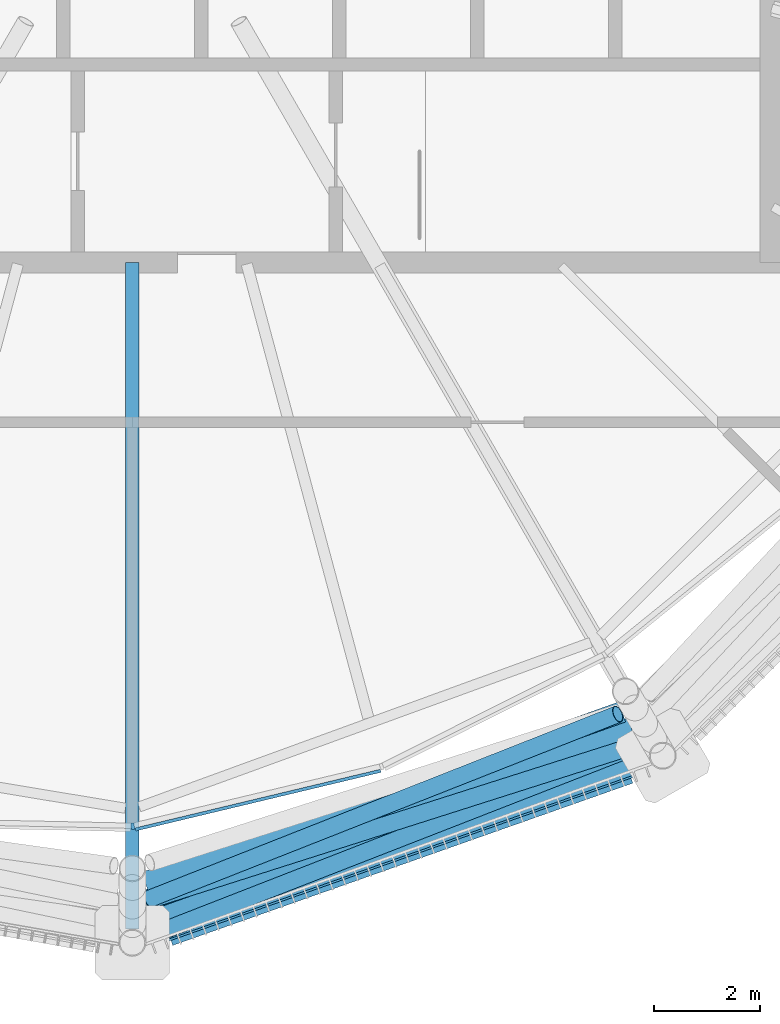
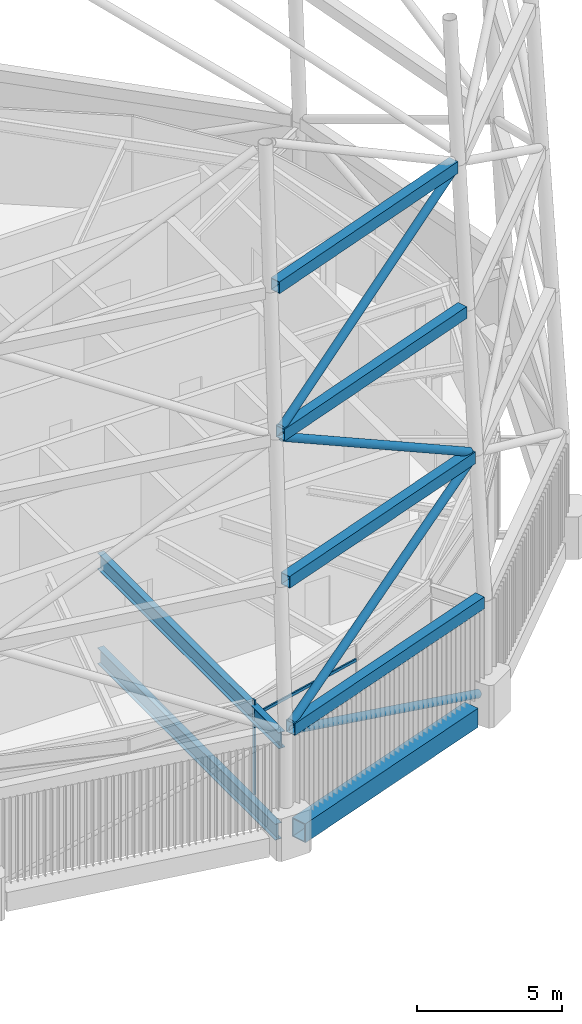
# One storey, part 42 of 71: 7 beams, 6 members, 1 element without a shape of its own.
"""IFC4 building model written with IfcOpenShell, lengths in metres."""

from ifc_helpers import new_model, si_unit, direction, frame, origin, origin_2d, place, context, subcontext, project, spatial, rectangle, hollow_rectangle, hollow_circle, i_section, extrude, material, material_profile, profile_set, type_object, element, aggregate, save


model = new_model("IFC4")

# Units and contexts
model_context = context("Model", 3, precision=1e-05, world=origin(), true_north=direction((0.0, 1.0)))
body_context = subcontext(model_context, "Body", "Model", "MODEL_VIEW")
ifc_project = project(units=[si_unit("LENGTHUNIT", "METRE"), si_unit("AREAUNIT", "SQUARE_METRE"), si_unit("VOLUMEUNIT", "CUBIC_METRE"), si_unit("PLANEANGLEUNIT", "RADIAN"), si_unit("MASSUNIT", "GRAM", prefix="KILO")], contexts=[model_context])

# Site, building, storey
site_placement = place(None, origin())
site = spatial("IfcSite", under=ifc_project, at=site_placement, CompositionType="ELEMENT")
building_placement = place(site_placement, origin())
building = spatial("IfcBuilding", under=site, at=building_placement, Name="Rimbun Link Towers", CompositionType="ELEMENT")
storey_placement = place(building_placement, frame((0.0, 0.0, 267.60009765625)))
storey = spatial("IfcBuildingStorey", under=building, at=storey_placement, Name="L65", CompositionType="ELEMENT", Elevation=267.60009765625)

# Curtain wall, members
ifc_material_1 = material(Name="Aluminium 6063-T6 louvre wall", Category="aluminium")
curtain_wall_type = type_object("IfcCurtainWallType", Name="CW6 plant floor louvre wall", PredefinedType="NOTDEFINED", material=ifc_material_1)
curtain_wall_placement = place(storey_placement, origin())
curtain_wall = element("IfcCurtainWall", 1, at=curtain_wall_placement, inside=storey, type_object=curtain_wall_type, Name="CW6 L65 T2", PredefinedType="NOTDEFINED")
ifc_material_2 = material(Name="Aluminium 6063-T6", Category="aluminium")
ifc_material_profile_1 = material_profile(ifc_material_2, rectangle(XDim=0.1201171875, YDim=0.06005859375, at=origin_2d()), Name="MULLION 60X120")
ifc_profile_set_1 = profile_set([ifc_material_profile_1], Name="Aluminium 6063-T6")
member_type_1 = type_object("IfcMemberType", Name="CW6 mullion 60X120", PredefinedType="MULLION", material=ifc_profile_set_1)
member_1_placement = place(storey_placement, frame((31.75634765625, -18.60009765625, 0.0), z_axis=(0.0, 0.0, 1.0), x_axis=(0.10664066069, -0.99429762621, 0.0)))
member_1 = element("IfcMember", 2, at=member_1_placement, type_object=member_type_1, Name="CW6 mullion", PredefinedType="MULLION", context=body_context, shape_type="SweptSolid", body=[
    extrude(rectangle(XDim=0.1201171875, YDim=0.06005859375, at=origin_2d()), origin(), (0.0, 0.0, 1.0), 4.0),
])
ifc_material_3 = material(Name="Aluminium 6063-T6", Category="aluminium")
ifc_material_profile_2 = material_profile(ifc_material_3, rectangle(XDim=0.06005859375, YDim=0.1201171875, at=origin_2d()), Name="TRANSOM 60X120")
ifc_profile_set_2 = profile_set([ifc_material_profile_2], Name="Aluminium 6063-T6")
member_type_2 = type_object("IfcMemberType", Name="CW6 transom 60X120", PredefinedType="USERDEFINED", material=ifc_profile_set_2)
member_2_placement = place(storey_placement, frame((36.419677734375, -17.557373046875, 3.39990234375), z_axis=(-0.972575852524, -0.232585921944, 0.0), x_axis=(0.232585921944, -0.972575852524, 0.0)))
member_2 = element("IfcMember", 3, at=member_2_placement, type_object=member_type_2, Name="CW6 transom", ObjectType="TRANSOM", PredefinedType="USERDEFINED", context=body_context, shape_type="SweptSolid", body=[
    extrude(rectangle(XDim=0.06005859375, YDim=0.1201171875, at=origin_2d()), origin(), (0.0, 0.0, 1.0), 4.740234375),
])
aggregate(curtain_wall, [member_1, member_2])

# Members
ifc_material_4 = material(Name="Steel S355J2H", Category="steel")
ifc_material_profile_3 = material_profile(ifc_material_4, hollow_circle(Radius=0.161865234375, WallThickness=0.011962890625, at=origin_2d()), Name="Crown frame brace CHS 324x12")
ifc_profile_set_3 = profile_set([ifc_material_profile_3], Name="Steel S355J2H")
member_type_3 = type_object("IfcMemberType", Name="Crown frame brace CHS 324x12", PredefinedType="BRACE", material=ifc_profile_set_3)
member_3_placement = place(storey_placement, frame((41.3701171875, -17.398193359375, 0.141357421875), z_axis=(-0.882089192598, -0.311039907345, 0.353797728004), x_axis=(0.332548492242, -0.943086157415, 0.0)))
element("IfcMember", 4, at=member_3_placement, inside=storey, type_object=member_type_3, Name="CROWN FRAME brace T2 1-07", PredefinedType="BRACE", context=body_context, shape_type="SweptSolid", body=[
    extrude(hollow_circle(Radius=0.161865234375, WallThickness=0.011962890625, at=origin_2d()), origin(), (0.0, 0.0, 1.0), 10.506103515625),
])
member_4_placement = place(storey_placement, frame((32.07373046875, -20.664306640625, 4.197998046875), z_axis=(0.809238869755, 0.315504058156, 0.495570016208), x_axis=(-0.363246240454, 0.931693173097, 0.0)))
element("IfcMember", 5, at=member_4_placement, inside=storey, type_object=member_type_3, Name="CROWN FRAME brace T2 2-07", PredefinedType="BRACE", context=body_context, shape_type="SweptSolid", body=[
    extrude(hollow_circle(Radius=0.161865234375, WallThickness=0.011962890625, at=origin_2d()), origin(), (0.0, 0.0, 1.0), 11.3076171875),
])
member_5_placement = place(storey_placement, frame((41.21875, -17.075439453125, 10.201416015625), z_axis=(-0.822998616878, -0.262051060829, 0.503986624958), x_axis=(0.303401163137, -0.952862914698, 0.0)))
element("IfcMember", 6, at=member_5_placement, inside=storey, type_object=member_type_3, Name="CROWN FRAME brace T2 3-07", PredefinedType="BRACE", context=body_context, shape_type="SweptSolid", body=[
    extrude(hollow_circle(Radius=0.161865234375, WallThickness=0.011962890625, at=origin_2d()), origin(), (0.0, 0.0, 1.0), 11.105224609375),
])
member_6_placement = place(storey_placement, frame((32.0703125, -19.964111328125, 16.203369140625), z_axis=(0.800948027458, 0.315872143774, 0.5086325256), x_axis=(-0.366873541319, 0.930270823298, 0.0)))
element("IfcMember", 7, at=member_6_placement, inside=storey, type_object=member_type_3, Name="CROWN FRAME brace T2 4-07", PredefinedType="BRACE", context=body_context, shape_type="SweptSolid", body=[
    extrude(hollow_circle(Radius=0.161865234375, WallThickness=0.011962890625, at=origin_2d()), origin(), (0.0, 0.0, 1.0), 10.99609375),
])

# Beams
ifc_material_5 = material(Name="Steel S355J2", Category="steel")
ifc_material_profile_4 = material_profile(ifc_material_5, hollow_rectangle(XDim=0.39990234375, YDim=0.5, WallThickness=0.02001953125, at=origin_2d()), Name="Crown frame ring beam BOX 400x500x20")
ifc_profile_set_4 = profile_set([ifc_material_profile_4], Name="Steel S355J2")
beam_type_1 = type_object("IfcBeamType", Name="Crown frame ring beam BOX 400x500x20", PredefinedType="BEAM", material=ifc_profile_set_4)
beam_1_placement = place(storey_placement, frame((31.989501953125, -20.7060546875, 4.0), z_axis=(0.943080291996, 0.332565125727, 0.0), x_axis=(-0.332565125727, 0.943080291996, 0.0)))
element("IfcBeam", 8, at=beam_1_placement, inside=storey, type_object=beam_type_1, Name="CROWN FRAME ring beam T2 1-07", PredefinedType="BEAM", context=body_context, shape_type="SweptSolid", body=[
    extrude(hollow_rectangle(XDim=0.39990234375, YDim=0.5, WallThickness=0.02001953125, at=origin_2d()), origin(), (0.0, 0.0, 1.0), 10.06689453125),
])
beam_2_placement = place(storey_placement, frame((31.989501953125, -20.355712890625, 10.0), z_axis=(0.942634186804, 0.333827485191, 0.0), x_axis=(-0.333827485191, 0.942634186804, 0.0)))
element("IfcBeam", 9, at=beam_2_placement, inside=storey, type_object=beam_type_1, Name="CROWN FRAME ring beam T2 2-07", PredefinedType="BEAM", context=body_context, shape_type="SweptSolid", body=[
    extrude(hollow_rectangle(XDim=0.39990234375, YDim=0.5, WallThickness=0.02001953125, at=origin_2d()), origin(), (0.0, 0.0, 1.0), 9.88623046875),
])
beam_3_placement = place(storey_placement, frame((31.9892578125, -20.00537109375, 16.0), z_axis=(0.942172513006, 0.335128267588, 0.0), x_axis=(-0.335128267588, 0.942172513006, 0.0)))
element("IfcBeam", 10, at=beam_3_placement, inside=storey, type_object=beam_type_1, Name="CROWN FRAME ring beam T2 3-07", PredefinedType="BEAM", context=body_context, shape_type="SweptSolid", body=[
    extrude(hollow_rectangle(XDim=0.39990234375, YDim=0.5, WallThickness=0.02001953125, at=origin_2d()), origin(), (0.0, 0.0, 1.0), 9.705810546875),
])
beam_4_placement = place(storey_placement, frame((31.9892578125, -19.655029296875, 22.0), z_axis=(0.941685647704, 0.33649389431, 0.0), x_axis=(-0.33649389431, 0.941685647704, 0.0)))
element("IfcBeam", 11, at=beam_4_placement, inside=storey, type_object=beam_type_1, Name="CROWN FRAME ring beam T2 4-07", PredefinedType="BEAM", context=body_context, shape_type="SweptSolid", body=[
    extrude(hollow_rectangle(XDim=0.39990234375, YDim=0.5, WallThickness=0.02001953125, at=origin_2d()), origin(), (0.0, 0.0, 1.0), 9.52490234375),
])
ifc_material_6 = material(Name="Steel S355J2", Category="steel")
ifc_material_profile_5 = material_profile(ifc_material_6, hollow_rectangle(XDim=0.60009765625, YDim=0.800048828125, WallThickness=0.0400390625, at=origin_2d()), Name="Exoskeleton ring girder BOX 600x800x40")
ifc_profile_set_5 = profile_set([ifc_material_profile_5], Name="Steel S355J2")
beam_type_2 = type_object("IfcBeamType", Name="Exoskeleton ring girder BOX 600x800x40", PredefinedType="BEAM", material=ifc_profile_set_5)
beam_5_placement = place(storey_placement, frame((32.41015625, -20.5576171875, -0.56005859375), z_axis=(0.94308707245, 0.332545897249, 0.0), x_axis=(-0.332545897249, 0.94308707245, 0.0)))
element("IfcBeam", 12, at=beam_5_placement, inside=storey, type_object=beam_type_2, Name="Exoskeleton ring girder L65 07", PredefinedType="BEAM", context=body_context, shape_type="SweptSolid", body=[
    extrude(hollow_rectangle(XDim=0.60009765625, YDim=0.800048828125, WallThickness=0.0400390625, at=origin_2d()), origin(), (0.0, 0.0, 1.0), 9.1748046875),
])
ifc_material_7 = material(Name="Steel S355J2", Category="steel")
ifc_material_profile_6 = material_profile(ifc_material_7, i_section(OverallWidth=0.253662109375, OverallDepth=0.68359375, WebThickness=0.012451171875, FlangeThickness=0.01904296875, at=origin_2d()), Name="UB 686x254x140")
ifc_profile_set_6 = profile_set([ifc_material_profile_6], Name="Steel S355J2")
beam_type_3 = type_object("IfcBeamType", Name="UB 686x254x140", PredefinedType="BEAM", material=ifc_profile_set_6)
beam_6_placement = place(storey_placement, frame((31.75, -8.0009765625, -0.541748046875), z_axis=(0.0, -1.0, 0.0), x_axis=(1.0, 0.0, 0.0)))
element("IfcBeam", 13, at=beam_6_placement, inside=storey, type_object=beam_type_3, Name="Radial beam T2 L65 15", PredefinedType="BEAM", context=body_context, shape_type="SweptSolid", body=[
    extrude(i_section(OverallWidth=0.253662109375, OverallDepth=0.68359375, WebThickness=0.012451171875, FlangeThickness=0.01904296875, at=origin_2d()), origin(), (0.0, 0.0, 1.0), 12.28955078125),
])
beam_7_placement = place(storey_placement, frame((31.75, -8.0009765625, 3.458251953125), z_axis=(0.0, -1.0, 0.0), x_axis=(1.0, 0.0, 0.0)))
element("IfcBeam", 14, at=beam_7_placement, inside=storey, type_object=beam_type_3, Name="Radial beam T2 L65 15", PredefinedType="BEAM", context=body_context, shape_type="SweptSolid", body=[
    extrude(i_section(OverallWidth=0.253662109375, OverallDepth=0.68359375, WebThickness=0.012451171875, FlangeThickness=0.01904296875, at=origin_2d()), origin(), (0.0, 0.0, 1.0), 12.529541015625),
])

save(model, "model.ifc")
